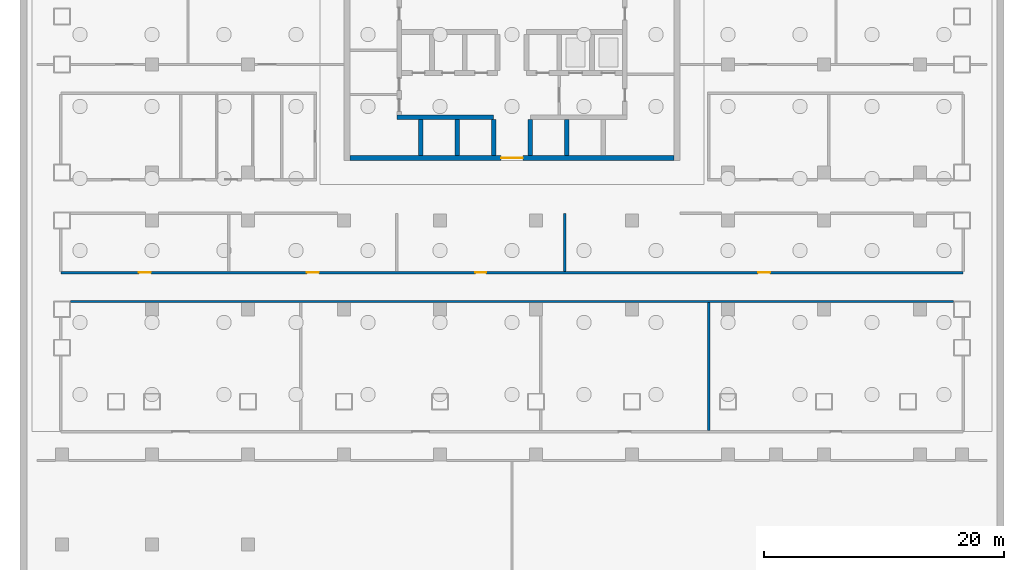
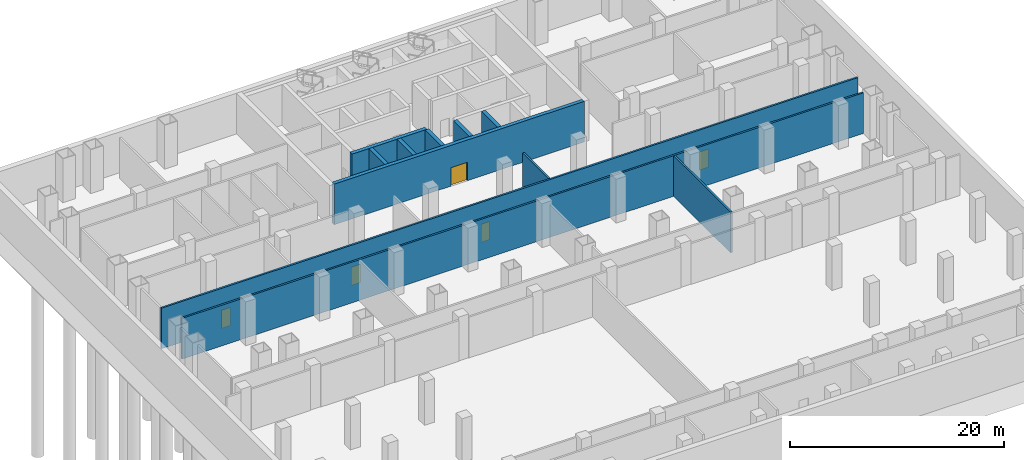
# One storey, part 7 of 14: 11 walls, 5 doors, 5 openings.
"""IFC4 building model written with IfcOpenShell, lengths in metres."""

from ifc_helpers import new_model, si_unit, direction, frame, frame_2d, origin, place, context, subcontext, project, spatial, rectangle, extrude, material, layer, layer_set, type_object, element, fill, save


model = new_model("IFC4")

# Units and contexts
model_context = context("Model", 3, precision=1e-05, world=origin(), true_north=direction((0.0, 1.0)))
body_context = subcontext(model_context, "Body", "Model", "MODEL_VIEW")
ifc_project = project(units=[si_unit("LENGTHUNIT", "METRE"), si_unit("AREAUNIT", "SQUARE_METRE"), si_unit("VOLUMEUNIT", "CUBIC_METRE"), si_unit("PLANEANGLEUNIT", "RADIAN"), si_unit("MASSUNIT", "GRAM", prefix="KILO")], contexts=[model_context])

# Site, building, storey
site_placement = place(None, origin())
site = spatial("IfcSite", under=ifc_project, at=site_placement, CompositionType="ELEMENT")
building_placement = place(site_placement, origin())
building = spatial("IfcBuilding", under=site, at=building_placement, Name="Vidyagriha Tower", CompositionType="ELEMENT")
storey_placement = place(building_placement, frame((0.0, 0.0, -10.0)))
storey = spatial("IfcBuildingStorey", under=building, at=storey_placement, Name="B2", CompositionType="ELEMENT", Elevation=-10.0)

# Wall, opening, door
ifc_material_1 = material(Name="Concrete C60/75", Category="concrete")
ifc_layer_1 = layer(ifc_material_1, 0.39990234375)
ifc_layer_set_1 = layer_set([ifc_layer_1], Name="Concrete C60/75")
wall_type_1 = type_object("IfcWallType", Name="Core shear wall 400 mm", PredefinedType="SHEAR", material=ifc_layer_set_1)
wall_1_placement = place(storey_placement, frame((-13.5, 3.199951171875, 0.0)))
wall_1 = element("IfcWall", 1, at=wall_1_placement, inside=storey, type_object=wall_type_1, Name="Core front wall", PredefinedType="SHEAR", context=body_context, shape_type="SweptSolid", body=[
    extrude(rectangle(XDim=27.0, YDim=0.39990234375, at=frame_2d((13.5, 0.0))), origin(), (0.0, 0.0, 1.0), 4.64990234375),
])
opening_1_placement = place(wall_1_placement, frame((12.60009765625, 0.0, 0.0)))
opening_1 = element("IfcOpeningElement", 2, at=opening_1_placement, cuts=wall_1, Name="Opening DB2-01", PredefinedType="OPENING", context=body_context, shape_type="SweptSolid", body=[
    extrude(rectangle(XDim=1.800048828125, YDim=2.10009765625, at=frame_2d((0.89990234375, 1.050048828125))), frame((0.0, 0.2099609375, 0.0), z_axis=(0.0, -1.0, 0.0), x_axis=(1.0, 0.0, 0.0)), (0.0, 0.0, 1.0), 0.419921875),
])
ifc_material_2 = material(Name="Hollow metal door leaf")
door_type_1 = type_object("IfcDoorType", Name="Core lobby double door 1800 x 2100 mm EI 60", OperationType="NOTDEFINED", PredefinedType="DOOR", material=ifc_material_2)
door_1_placement = place(opening_1_placement, frame((1.800048828125, 0.0, 0.0), z_axis=(0.0, 0.0, 1.0), x_axis=(-1.0, 0.0, 0.0)))
door_1 = element("IfcDoor", 3, at=door_1_placement, inside=storey, type_object=door_type_1, Name="Core entrance door B2", OperationType="DOUBLE_DOOR_SINGLE_SWING", OverallHeight=2.10009765625, OverallWidth=1.800048828125, PredefinedType="DOOR", context=body_context, shape_type="SweptSolid", body=[
    extrude(rectangle(XDim=1.800048828125, YDim=2.10009765625, at=frame_2d((0.89990234375, 1.050048828125))), frame((0.0, 0.02490234375, 0.0), z_axis=(0.0, -1.0, 0.0), x_axis=(1.0, 0.0, 0.0)), (0.0, 0.0, 1.0), 0.050048828125),
])
fill(opening_1, door_1)

# Walls
wall_2_placement = place(storey_placement, frame((-9.60009765625, 6.60009765625, 0.0)))
element("IfcWall", 4, at=wall_2_placement, inside=storey, type_object=wall_type_1, Name="Core lobby south wall west", PredefinedType="SHEAR", context=body_context, shape_type="SweptSolid", body=[
    extrude(rectangle(XDim=8.077880859375, YDim=0.39990234375, at=frame_2d((4.0390625, 0.0))), origin(), (0.0, 0.0, 1.0), 4.64990234375),
])
for number, where, z_axis, x_axis, name in (
    (5, (-7.611083984375, 3.39990234375, 0.0), (0.0, 0.0, 1.0), (0.0, 1.0, 0.0), "Core bay wall S2"),
    (6, (-4.566650390625, 3.39990234375, 0.0), (0.0, 0.0, 1.0), (0.0, 1.0, 0.0), "Core bay wall S3"),
    (7, (-1.522216796875, 3.39990234375, 0.0), (0.0, 0.0, 1.0), (0.0, 1.0, 0.0), "Core bay wall S4"),
    (8, (1.522216796875, 3.39990234375, 0.0), (0.0, 0.0, 1.0), (0.0, 1.0, 0.0), "Core bay wall S5"),
    (9, (4.566650390625, 3.39990234375, 0.0), (0.0, 0.0, 1.0), (0.0, 1.0, 0.0), "Core bay wall S6"),
):
    element("IfcWall", number, at=place(storey_placement, frame(where, z_axis=z_axis, x_axis=x_axis)), inside=storey, type_object=wall_type_1, Name=name, PredefinedType="SHEAR", context=body_context, shape_type="SweptSolid", body=[
        extrude(rectangle(XDim=3.0, YDim=0.39990234375, at=frame_2d((1.5, 0.0))), origin(), (0.0, 0.0, 1.0), 4.64990234375),
    ])
ifc_material_3 = material(Name="Fire rated gypsum board on light gauge framing")
ifc_layer_2 = layer(ifc_material_3, 0.199951171875)
ifc_layer_set_2 = layer_set([ifc_layer_2], Name="Fire rated gypsum board on light gauge framing")
wall_type_2 = type_object("IfcWallType", Name="Fire Rated Corridor Wall 200", PredefinedType="PARTITIONING", material=ifc_layer_set_2)
wall_3_placement = place(storey_placement, frame((-36.800048828125, -8.75, 0.0)))
element("IfcWall", 10, at=wall_3_placement, inside=storey, type_object=wall_type_2, Name="B2 Fire Rated Corridor Wall 200 030", PredefinedType="PARTITIONING", context=body_context, shape_type="SweptSolid", body=[
    extrude(rectangle(XDim=73.60009765625, YDim=0.199951171875, at=frame_2d((36.800048828125, 0.0))), origin(), (0.0, 0.0, 1.0), 4.64990234375),
])

# Wall, openings, doors
wall_4_placement = place(storey_placement, frame((-37.599853515625, -6.35009765625, 0.0)))
wall_4 = element("IfcWall", 11, at=wall_4_placement, inside=storey, type_object=wall_type_2, Name="B2 Fire Rated Corridor Wall 200 031", PredefinedType="PARTITIONING", context=body_context, shape_type="SweptSolid", body=[
    extrude(rectangle(XDim=75.19970703125, YDim=0.199951171875, at=frame_2d((37.599853515625, 0.0))), origin(), (0.0, 0.0, 1.0), 4.64990234375),
])
opening_2_placement = place(wall_4_placement, frame((6.5, 0.0, 0.0)))
opening_2 = element("IfcOpeningElement", 12, at=opening_2_placement, cuts=wall_4, Name="Opening DB2-23", PredefinedType="OPENING", context=body_context, shape_type="SweptSolid", body=[
    extrude(rectangle(XDim=1.0, YDim=2.10009765625, at=frame_2d((0.5, 1.050048828125))), frame((0.0, 0.10986328125, 0.0), z_axis=(0.0, -1.0, 0.0), x_axis=(1.0, 0.0, 0.0)), (0.0, 0.0, 1.0), 0.219970703125),
])
opening_3_placement = place(wall_4_placement, frame((20.5, 0.0, 0.0)))
opening_3 = element("IfcOpeningElement", 13, at=opening_3_placement, cuts=wall_4, Name="Opening DB2-24", PredefinedType="OPENING", context=body_context, shape_type="SweptSolid", body=[
    extrude(rectangle(XDim=1.0, YDim=2.10009765625, at=frame_2d((0.5, 1.050048828125))), frame((0.0, 0.10986328125, 0.0), z_axis=(0.0, -1.0, 0.0), x_axis=(1.0, 0.0, 0.0)), (0.0, 0.0, 1.0), 0.219970703125),
])
opening_4_placement = place(wall_4_placement, frame((34.5498046875, 0.0, 0.0)))
opening_4 = element("IfcOpeningElement", 14, at=opening_4_placement, cuts=wall_4, Name="Opening DB2-25", PredefinedType="OPENING", context=body_context, shape_type="SweptSolid", body=[
    extrude(rectangle(XDim=0.89990234375, YDim=2.10009765625, at=frame_2d((0.449951171875, 1.050048828125))), frame((0.0, 0.10986328125, 0.0), z_axis=(0.0, -1.0, 0.0), x_axis=(1.0, 0.0, 0.0)), (0.0, 0.0, 1.0), 0.219970703125),
])
opening_5_placement = place(wall_4_placement, frame((58.099853515625, 0.0, 0.0)))
opening_5 = element("IfcOpeningElement", 15, at=opening_5_placement, cuts=wall_4, Name="Opening DB2-26", PredefinedType="OPENING", context=body_context, shape_type="SweptSolid", body=[
    extrude(rectangle(XDim=1.0, YDim=2.10009765625, at=frame_2d((0.5, 1.050048828125))), frame((0.0, 0.10986328125, 0.0), z_axis=(0.0, -1.0, 0.0), x_axis=(1.0, 0.0, 0.0)), (0.0, 0.0, 1.0), 0.219970703125),
])
ifc_material_4 = material(Name="Steel fire door set", Category="steel")
door_type_2 = type_object("IfcDoorType", Name="Podium Door 1000x2100 EI 60", OperationType="NOTDEFINED", PredefinedType="DOOR", material=ifc_material_4)
door_2_placement = place(opening_2_placement, frame((1.0, 0.0, 0.0), z_axis=(0.0, 0.0, 1.0), x_axis=(-1.0, 0.0, 0.0)))
door_2 = element("IfcDoor", 16, at=door_2_placement, inside=storey, type_object=door_type_2, Name="B2 door DB2-23", OperationType="SINGLE_SWING_LEFT", OverallHeight=2.10009765625, OverallWidth=1.0, PredefinedType="DOOR", context=body_context, shape_type="SweptSolid", body=[
    extrude(rectangle(XDim=1.0, YDim=2.10009765625, at=frame_2d((0.5, 1.050048828125))), frame((0.0, 0.02490234375, 0.0), z_axis=(0.0, -1.0, 0.0), x_axis=(1.0, 0.0, 0.0)), (0.0, 0.0, 1.0), 0.050048828125),
])
fill(opening_2, door_2)
door_3_placement = place(opening_3_placement, frame((1.0, 0.0, 0.0), z_axis=(0.0, 0.0, 1.0), x_axis=(-1.0, 0.0, 0.0)))
door_3 = element("IfcDoor", 17, at=door_3_placement, inside=storey, type_object=door_type_2, Name="B2 door DB2-24", OperationType="SINGLE_SWING_LEFT", OverallHeight=2.10009765625, OverallWidth=1.0, PredefinedType="DOOR", context=body_context, shape_type="SweptSolid", body=[
    extrude(rectangle(XDim=1.0, YDim=2.10009765625, at=frame_2d((0.5, 1.050048828125))), frame((0.0, 0.02490234375, 0.0), z_axis=(0.0, -1.0, 0.0), x_axis=(1.0, 0.0, 0.0)), (0.0, 0.0, 1.0), 0.050048828125),
])
fill(opening_3, door_3)
door_4_placement = place(opening_5_placement, origin())
door_4 = element("IfcDoor", 18, at=door_4_placement, inside=storey, type_object=door_type_2, Name="B2 door DB2-26", OperationType="SINGLE_SWING_RIGHT", OverallHeight=2.10009765625, OverallWidth=1.0, PredefinedType="DOOR", context=body_context, shape_type="SweptSolid", body=[
    extrude(rectangle(XDim=1.0, YDim=2.10009765625, at=frame_2d((0.5, 1.050048828125))), frame((0.0, 0.02490234375, 0.0), z_axis=(0.0, -1.0, 0.0), x_axis=(1.0, 0.0, 0.0)), (0.0, 0.0, 1.0), 0.050048828125),
])
fill(opening_5, door_4)
ifc_material_5 = material(Name="Steel fire door set", Category="steel")
door_type_3 = type_object("IfcDoorType", Name="Podium Door 900x2100 EI 60", OperationType="NOTDEFINED", PredefinedType="DOOR", material=ifc_material_5)
door_5_placement = place(opening_4_placement, origin())
door_5 = element("IfcDoor", 19, at=door_5_placement, inside=storey, type_object=door_type_3, Name="B2 door DB2-25", OperationType="SINGLE_SWING_LEFT", OverallHeight=2.10009765625, OverallWidth=0.89990234375, PredefinedType="DOOR", context=body_context, shape_type="SweptSolid", body=[
    extrude(rectangle(XDim=0.89990234375, YDim=2.10009765625, at=frame_2d((0.449951171875, 1.050048828125))), frame((0.0, 0.02490234375, 0.0), z_axis=(0.0, -1.0, 0.0), x_axis=(1.0, 0.0, 0.0)), (0.0, 0.0, 1.0), 0.050048828125),
])
fill(opening_4, door_5)

# Walls
wall_5_placement = place(storey_placement, frame((4.39990234375, -6.25, 0.0), z_axis=(0.0, 0.0, 1.0), x_axis=(0.0, 1.0, 0.0)))
element("IfcWall", 20, at=wall_5_placement, inside=storey, type_object=wall_type_2, Name="B2 Fire Rated Corridor Wall 200 077", PredefinedType="PARTITIONING", context=body_context, shape_type="SweptSolid", body=[
    extrude(rectangle(XDim=4.849853515625, YDim=0.199951171875, at=frame_2d((2.4248046875, 0.0))), origin(), (0.0, 0.0, 1.0), 4.64990234375),
])
wall_6_placement = place(storey_placement, frame((16.39990234375, -19.5, 0.0), z_axis=(0.0, 0.0, 1.0), x_axis=(0.0, 1.0, 0.0)))
element("IfcWall", 21, at=wall_6_placement, inside=storey, type_object=wall_type_2, Name="B2 Fire Rated Corridor Wall 200 079", PredefinedType="PARTITIONING", context=body_context, shape_type="SweptSolid", body=[
    extrude(rectangle(XDim=10.64990234375, YDim=0.199951171875, at=frame_2d((5.324951171875, 0.0))), origin(), (0.0, 0.0, 1.0), 4.64990234375),
])

save(model, "model.ifc")
